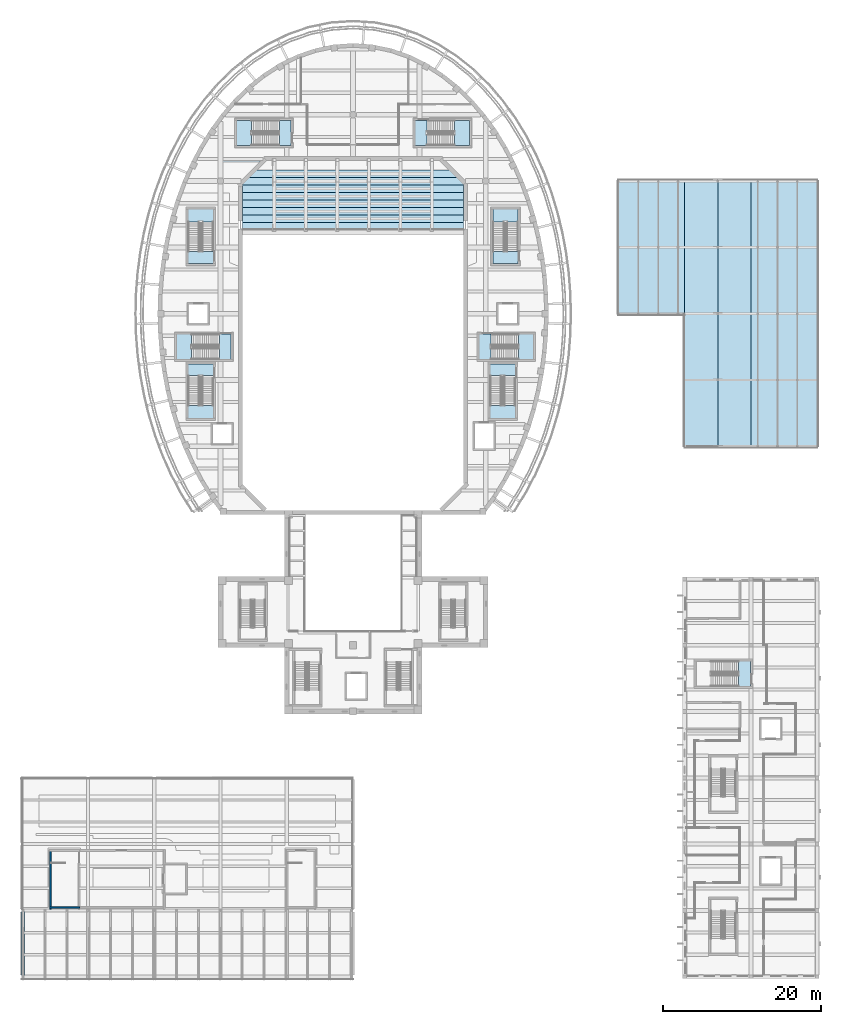
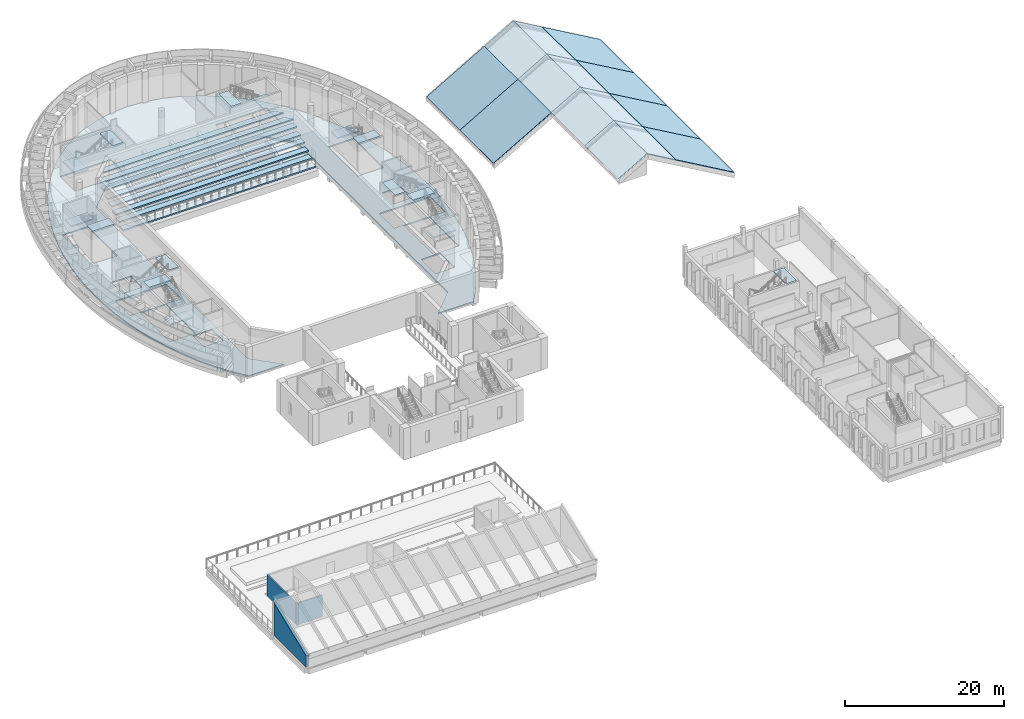
# One storey, part 5 of 37: 40 slabs, 3 walls, 9 elements without a shape of their own.
"""IFC4 building model written with IfcOpenShell, lengths in metres."""

from ifc_helpers import new_model, si_unit, direction, frame, frame_2d, origin, place, context, subcontext, project, spatial, polyline, rectangle, outline, extrude, material, layer, layer_set, type_object, element, aggregate, save


model = new_model("IFC4")

# Units and contexts
model_context = context("Model", 3, precision=1e-05, world=origin(), true_north=direction((0.0, 1.0)))
body_context = subcontext(model_context, "Body", "Model", "MODEL_VIEW")
ifc_project = project(units=[si_unit("LENGTHUNIT", "METRE"), si_unit("AREAUNIT", "SQUARE_METRE"), si_unit("VOLUMEUNIT", "CUBIC_METRE"), si_unit("PLANEANGLEUNIT", "RADIAN"), si_unit("MASSUNIT", "GRAM", prefix="KILO")], contexts=[model_context])

# Site, building, storey
site_placement = place(None, origin())
site = spatial("IfcSite", under=ifc_project, at=site_placement, CompositionType="ELEMENT")
building_placement = place(site_placement, origin())
building = spatial("IfcBuilding", under=site, at=building_placement, Name="Larchfold Concert Hall", CompositionType="ELEMENT")
storey_placement = place(building_placement, frame((0.0, 0.0, 19.199951171875)))
storey = spatial("IfcBuildingStorey", under=building, at=storey_placement, Name="L04", CompositionType="ELEMENT", Elevation=19.199951171875)

# Slabs
ifc_material_1 = material(Name="Steel S355", Category="steel")
ifc_layer_1 = layer(ifc_material_1, 0.10009765625)
ifc_layer_set_1 = layer_set([ifc_layer_1], Name="Steel S355")
slab_type_1 = type_object("IfcSlabType", Name="Roof plate 100 insulated", PredefinedType="ROOF", material=ifc_layer_set_1)
slab_1_placement = place(storey_placement, frame((76.199951171875, 84.60009765625, 0.0), z_axis=(-0.500002063083, 0.0, 0.86602421266), x_axis=(0.0, 1.0, 0.0)))
element("IfcSlab", 1, at=slab_1_placement, inside=storey, type_object=slab_type_1, Name="Roof plate FP026", PredefinedType="ROOF", context=body_context, shape_type="SweptSolid", body=[
    extrude(outline(polyline([(0.0, 0.0), (8.39990234375, 0.0), (8.39990234375, -9.699667008819315), (0.0, -9.699667008819315), (0.0, 0.0)])), origin(), (0.0, 0.0, -1.0), 0.10009765625),
])
slab_2_placement = place(storey_placement, frame((76.199951171875, 101.39990234375, 0.0), z_axis=(-0.500002063083, 0.0, 0.86602421266), x_axis=(0.86602421266, 0.0, 0.500002063083)))
element("IfcSlab", 2, at=slab_2_placement, inside=storey, type_object=slab_type_1, Name="Roof plate FP027", PredefinedType="ROOF", context=body_context, shape_type="SweptSolid", body=[
    extrude(outline(polyline([(0.0, 0.0), (9.699667008819315, 0.0), (9.699667008819315, -8.39990234375), (0.0, -8.39990234375), (0.0, 0.0)])), origin(), (0.0, 0.0, -1.0), 0.10009765625),
])
slab_3_placement = place(storey_placement, frame((84.60009765625, 67.800048828125, 4.849853515625), z_axis=(-0.499994084299, 0.0, 0.866028819189), x_axis=(0.0, 1.0, 0.0)))
element("IfcSlab", 3, at=slab_3_placement, inside=storey, type_object=slab_type_1, Name="Roof plate FP028", PredefinedType="ROOF", context=body_context, shape_type="SweptSolid", body=[
    extrude(outline(polyline([(0.0, 0.0), (8.39990234375, 0.0), (8.39990234375, -4.8496667533611175), (0.0, -4.8496667533611175), (0.0, 0.0)])), origin(), (0.0, 0.0, -1.0), 0.10009765625),
])
slab_4_placement = place(storey_placement, frame((84.60009765625, 84.60009765625, 4.849853515625), z_axis=(-0.499994084299, 0.0, 0.866028819189), x_axis=(0.866028819189, 0.0, 0.499994084299)))
element("IfcSlab", 4, at=slab_4_placement, inside=storey, type_object=slab_type_1, Name="Roof plate FP029", PredefinedType="ROOF", context=body_context, shape_type="SweptSolid", body=[
    extrude(outline(polyline([(0.0, 0.0), (4.8496667533611175, 0.0), (4.8496667533611175, -8.400146484375002), (0.0, -8.400146484375002), (0.0, 0.0)])), origin(), (0.0, 0.0, -1.0), 0.10009765625),
])
slab_5_placement = place(storey_placement, frame((84.60009765625, 93.0, 4.849853515625), z_axis=(-0.499994084299, 0.0, 0.866028819189), x_axis=(0.866028819189, 0.0, 0.499994084299)))
element("IfcSlab", 5, at=slab_5_placement, inside=storey, type_object=slab_type_1, Name="Roof plate FP030", PredefinedType="ROOF", context=body_context, shape_type="SweptSolid", body=[
    extrude(outline(polyline([(0.0, 0.0), (4.8496667533611175, 0.0), (4.8496667533611175, -8.39990234375), (0.0, -8.39990234375), (0.0, 0.0)])), origin(), (0.0, 0.0, -1.0), 0.10009765625),
])
for number, where, z_axis, x_axis, name in (
    (6, (88.800048828125, 101.39990234375, 7.274658203125), (-0.499994084299, 0.0, 0.866028819189), (0.0, -1.0, 0.0), "Roof plate FP031"),
    (7, (88.800048828125, 67.800048828125, 7.274658203125), (0.499994084299, 0.0, 0.866028819189), (0.0, 1.0, 0.0), "Roof plate FP032"),
):
    element("IfcSlab", number, at=place(storey_placement, frame(where, z_axis=z_axis, x_axis=x_axis)), inside=storey, type_object=slab_type_1, Name=name, PredefinedType="ROOF", context=body_context, shape_type="SweptSolid", body=[
        extrude(outline(polyline([(0.0, 0.0), (8.39990234375, 0.0), (8.39990234375, -4.8496667533611175), (0.0, -4.8496667533611175), (0.0, 0.0)])), origin(), (0.0, 0.0, -1.0), 0.10009765625),
    ])
slab_6_placement = place(storey_placement, frame((88.800048828125, 76.199951171875, 7.274658203125), z_axis=(0.499994084299, 0.0, 0.866028819189), x_axis=(0.0, 1.0, 0.0)))
element("IfcSlab", 8, at=slab_6_placement, inside=storey, type_object=slab_type_1, Name="Roof plate FP033", PredefinedType="ROOF", context=body_context, shape_type="SweptSolid", body=[
    extrude(outline(polyline([(0.0, 0.0), (8.400146484375, 0.0), (8.400146484375, -4.849666753361118), (0.0, -4.849666753361118), (0.0, 0.0)])), origin(), (0.0, 0.0, -1.0), 0.10009765625),
])
for number, where, z_axis, x_axis, name in (
    (9, (88.800048828125, 84.60009765625, 7.274658203125), (0.499994084299, 0.0, 0.866028819189), (0.0, 1.0, 0.0), "Roof plate FP034"),
    (10, (93.0, 101.39990234375, 4.849853515625), (0.499994084299, 0.0, 0.866028819189), (0.0, -1.0, 0.0), "Roof plate FP035"),
):
    element("IfcSlab", number, at=place(storey_placement, frame(where, z_axis=z_axis, x_axis=x_axis)), inside=storey, type_object=slab_type_1, Name=name, PredefinedType="ROOF", context=body_context, shape_type="SweptSolid", body=[
        extrude(outline(polyline([(0.0, 0.0), (8.39990234375, 0.0), (8.39990234375, -4.8496667533611175), (0.0, -4.8496667533611175), (0.0, 0.0)])), origin(), (0.0, 0.0, -1.0), 0.10009765625),
    ])
slab_7_placement = place(storey_placement, frame((101.39990234375, 67.800048828125, 0.0), z_axis=(0.500012962241, 0.0, 0.866017919902), x_axis=(-0.866017919902, 0.0, 0.500012962241)))
element("IfcSlab", 11, at=slab_7_placement, inside=storey, type_object=slab_type_1, Name="Roof plate FP036", PredefinedType="ROOF", context=body_context, shape_type="SweptSolid", body=[
    extrude(outline(polyline([(0.0, 0.0), (9.699455577894922, 0.0), (9.699455577894922, -8.39990234375), (0.0, -8.39990234375), (0.0, 0.0)])), origin(), (0.0, 0.0, -1.0), 0.10009765625),
])
slab_8_placement = place(storey_placement, frame((101.39990234375, 76.199951171875, 0.0), z_axis=(0.500012962241, 0.0, 0.866017919902), x_axis=(-0.866017919902, 0.0, 0.500012962241)))
element("IfcSlab", 12, at=slab_8_placement, inside=storey, type_object=slab_type_1, Name="Roof plate FP037", PredefinedType="ROOF", context=body_context, shape_type="SweptSolid", body=[
    extrude(outline(polyline([(0.0, 0.0), (9.699455577894922, 0.0), (9.699455577894922, -8.400146484375), (0.0, -8.400146484375), (0.0, 0.0)])), origin(), (0.0, 0.0, -1.0), 0.10009765625),
])
for number, where, z_axis, x_axis, name in (
    (13, (101.39990234375, 84.60009765625, 0.0), (0.500012962241, 0.0, 0.866017919902), (-0.866017919902, 0.0, 0.500012962241), "Roof plate FP038"),
    (14, (101.39990234375, 93.0, 0.0), (0.500012962241, 0.0, 0.866017919902), (-0.866017919902, 0.0, 0.500012962241), "Roof plate FP039"),
):
    element("IfcSlab", number, at=place(storey_placement, frame(where, z_axis=z_axis, x_axis=x_axis)), inside=storey, type_object=slab_type_1, Name=name, PredefinedType="ROOF", context=body_context, shape_type="SweptSolid", body=[
        extrude(outline(polyline([(0.0, 0.0), (9.699455577894922, 0.0), (9.699455577894922, -8.39990234375), (0.0, -8.39990234375), (0.0, 0.0)])), origin(), (0.0, 0.0, -1.0), 0.10009765625),
    ])
ifc_material_2 = material(Name="Concrete C35/45", Category="concrete")
ifc_layer_2 = layer(ifc_material_2, 0.199951171875)
ifc_layer_set_2 = layer_set([ifc_layer_2], Name="Concrete C35/45")
slab_type_2 = type_object("IfcSlabType", Name="Slab 200", PredefinedType="FLOOR", material=ifc_layer_set_2)
slab_9_placement = place(storey_placement, frame((0.0, 0.0, -0.199951171875)))
element("IfcSlab", 15, at=slab_9_placement, inside=storey, type_object=slab_type_2, Name="Slab S0004", PredefinedType="FLOOR", context=body_context, shape_type="SweptSolid", body=[
    extrude(outline(polyline([(24.913818359375, 61.515380859375), (26.27978515625, 59.64990234375), (31.45751953125, 59.64990234375), (28.078857421875, 63.02880859375), (28.070068359375, 101.10009765625), (31.478759765625, 104.521240234375), (53.699951171875, 104.530029296875), (57.121337890625, 101.121337890625), (57.130126953125, 63.050048828125), (53.742431640625, 59.64990234375), (58.92041015625, 59.64990234375), (60.286376953125, 61.515380859375), (61.56884765625, 63.580078125), (62.703125, 65.731201171875), (63.69287109375, 67.953369140625), (64.541748046875, 70.234375), (65.253662109375, 72.562255859375), (65.83203125, 74.927490234375), (66.27880859375, 77.321533203125), (66.5966796875, 79.736328125), (66.786865234375, 82.164794921875), (66.85009765625, 84.60009765625), (66.78759765625, 87.020263671875), (66.599853515625, 89.433837890625), (66.285888671875, 91.833984375), (65.844482421875, 94.2138671875), (65.273681640625, 96.5654296875), (64.570556640625, 98.88037109375), (63.732177734375, 101.149169921875), (62.75537109375, 103.360595703125), (61.635986328125, 105.502685546875), (60.3701171875, 107.5595703125), (58.953857421875, 109.514892578125), (57.384765625, 111.3466796875), (55.661376953125, 113.03173828125), (53.78564453125, 114.541748046875), (51.763671875, 115.844970703125), (49.60888671875, 116.907958984375), (47.34130859375, 117.697509765625), (44.992431640625, 118.1845703125), (42.60009765625, 118.349609375), (40.207763671875, 118.1845703125), (37.85888671875, 117.697509765625), (35.59130859375, 116.907958984375), (33.4365234375, 115.844970703125), (31.41455078125, 114.541748046875), (29.538818359375, 113.03173828125), (27.8154296875, 111.3466796875), (26.246337890625, 109.514892578125), (24.830078125, 107.5595703125), (23.564208984375, 105.502685546875), (22.44482421875, 103.360595703125), (21.468017578125, 101.149169921875), (20.629638671875, 98.88037109375), (19.926513671875, 96.5654296875), (19.355712890625, 94.2138671875), (18.914306640625, 91.833984375), (18.600341796875, 89.433837890625), (18.41259765625, 87.020263671875), (18.35009765625, 84.60009765625), (18.413330078125, 82.164794921875), (18.603515625, 79.736328125), (18.92138671875, 77.321533203125), (19.3681640625, 74.927490234375), (19.946533203125, 72.562255859375), (20.658447265625, 70.234375), (21.50732421875, 67.953369140625), (22.4970703125, 65.731201171875), (23.63134765625, 63.580078125), (24.913818359375, 61.515380859375)]), holes=[polyline([(24.60009765625, 70.800048828125), (27.39990234375, 70.800048828125), (27.39990234375, 68.0), (24.60009765625, 68.0), (24.60009765625, 70.800048828125)]), polyline([(25.14990234375, 78.5), (25.14990234375, 71.10009765625), (21.449951171875, 71.10009765625), (21.449951171875, 78.5), (25.14990234375, 78.5)]), polyline([(27.39990234375, 82.25), (27.39990234375, 78.550048828125), (20.0, 78.550048828125), (20.0, 82.25), (27.39990234375, 82.25)]), polyline([(21.60009765625, 86.0), (24.39990234375, 86.0), (24.39990234375, 83.199951171875), (21.60009765625, 83.199951171875), (21.60009765625, 86.0)]), polyline([(25.14990234375, 98.10009765625), (25.14990234375, 90.699951171875), (21.449951171875, 90.699951171875), (21.449951171875, 98.10009765625), (25.14990234375, 98.10009765625)]), polyline([(35.0, 109.35009765625), (35.0, 105.64990234375), (27.60009765625, 105.64990234375), (27.60009765625, 109.35009765625), (35.0, 109.35009765625)]), polyline([(57.800048828125, 70.89990234375), (60.60009765625, 70.89990234375), (60.60009765625, 67.300048828125), (57.800048828125, 67.300048828125), (57.800048828125, 70.89990234375)]), polyline([(63.39990234375, 78.5), (63.39990234375, 71.10009765625), (59.699951171875, 71.10009765625), (59.699951171875, 78.5), (63.39990234375, 78.5)]), polyline([(65.699951171875, 82.25), (65.699951171875, 78.550048828125), (58.300048828125, 78.550048828125), (58.300048828125, 82.25), (65.699951171875, 82.25)]), polyline([(60.800048828125, 86.0), (63.60009765625, 86.0), (63.60009765625, 83.199951171875), (60.800048828125, 83.199951171875), (60.800048828125, 86.0)]), polyline([(63.75, 98.10009765625), (63.75, 90.699951171875), (60.050048828125, 90.699951171875), (60.050048828125, 98.10009765625), (63.75, 98.10009765625)]), polyline([(57.60009765625, 109.35009765625), (57.60009765625, 105.64990234375), (50.199951171875, 105.64990234375), (50.199951171875, 109.35009765625), (57.60009765625, 109.35009765625)])]), origin(), (0.0, 0.0, 1.0), 0.199951171875),
])
ifc_material_3 = material(Name="Precast concrete C40/50", Category="concrete")
ifc_layer_3 = layer(ifc_material_3, 0.219970703125)
ifc_layer_set_3 = layer_set([ifc_layer_3], Name="Precast concrete C40/50")
slab_type_3 = type_object("IfcSlabType", Name="Slab 220 hall tier tread", PredefinedType="FLOOR", material=ifc_layer_set_3)
slab_10_placement = place(storey_placement, frame((0.0, 0.0, -0.219970703125)))
element("IfcSlab", 16, at=slab_10_placement, inside=storey, type_object=slab_type_3, Name="Tread T3-01", PredefinedType="FLOOR", context=body_context, shape_type="SweptSolid", body=[
    extrude(outline(polyline([(56.60009765625, 96.14990234375), (28.60009765625, 96.14990234375), (28.60009765625, 95.199951171875), (56.60009765625, 95.199951171875), (56.60009765625, 96.14990234375)])), origin(), (0.0, 0.0, 1.0), 0.219970703125),
])
slab_11_placement = place(storey_placement, frame((0.0, 0.0, 0.467041015625)))
element("IfcSlab", 17, at=slab_11_placement, inside=storey, type_object=slab_type_3, Name="Tread T3-02", PredefinedType="FLOOR", context=body_context, shape_type="SweptSolid", body=[
    extrude(outline(polyline([(56.60009765625, 97.10009765625), (28.60009765625, 97.10009765625), (28.60009765625, 96.14990234375), (56.60009765625, 96.14990234375), (56.60009765625, 97.10009765625)])), origin(), (0.0, 0.0, 1.0), 0.219970703125),
])
slab_12_placement = place(storey_placement, frame((0.0, 0.0, 1.032958984375)))
element("IfcSlab", 18, at=slab_12_placement, inside=storey, type_object=slab_type_3, Name="Tread T3-03", PredefinedType="FLOOR", context=body_context, shape_type="SweptSolid", body=[
    extrude(outline(polyline([(56.60009765625, 98.050048828125), (28.60009765625, 98.050048828125), (28.60009765625, 97.10009765625), (56.60009765625, 97.10009765625), (56.60009765625, 98.050048828125)])), origin(), (0.0, 0.0, 1.0), 0.219970703125),
])
slab_13_placement = place(storey_placement, frame((0.0, 0.0, 1.72900390625)))
element("IfcSlab", 19, at=slab_13_placement, inside=storey, type_object=slab_type_3, Name="Tread T3-04", PredefinedType="FLOOR", context=body_context, shape_type="SweptSolid", body=[
    extrude(outline(polyline([(56.60009765625, 99.0), (28.60009765625, 99.0), (28.60009765625, 98.050048828125), (56.60009765625, 98.050048828125), (56.60009765625, 99.0)])), origin(), (0.0, 0.0, 1.0), 0.219970703125),
])
slab_14_placement = place(storey_placement, frame((0.0, 0.0, 2.295166015625)))
element("IfcSlab", 20, at=slab_14_placement, inside=storey, type_object=slab_type_3, Name="Tread T3-05", PredefinedType="FLOOR", context=body_context, shape_type="SweptSolid", body=[
    extrude(outline(polyline([(56.60009765625, 99.949951171875), (28.60009765625, 99.949951171875), (28.60009765625, 99.0), (56.60009765625, 99.0), (56.60009765625, 99.949951171875)])), origin(), (0.0, 0.0, 1.0), 0.219970703125),
])
slab_15_placement = place(storey_placement, frame((0.0, 0.0, 3.0)))
element("IfcSlab", 21, at=slab_15_placement, inside=storey, type_object=slab_type_3, Name="Tread T3-06", PredefinedType="FLOOR", context=body_context, shape_type="SweptSolid", body=[
    extrude(outline(polyline([(56.60009765625, 100.89990234375), (28.60009765625, 100.89990234375), (28.60009765625, 99.949951171875), (56.60009765625, 99.949951171875), (56.60009765625, 100.89990234375)])), origin(), (0.0, 0.0, 1.0), 0.219970703125),
])
slab_16_placement = place(storey_placement, frame((0.0, 0.0, 3.56494140625)))
element("IfcSlab", 22, at=slab_16_placement, inside=storey, type_object=slab_type_3, Name="Tread T3-07", PredefinedType="FLOOR", context=body_context, shape_type="SweptSolid", body=[
    extrude(outline(polyline([(55.75, 101.85009765625), (29.4501953125, 101.85009765625), (28.60009765625, 101.0), (28.60009765625, 100.89990234375), (56.60009765625, 100.89990234375), (56.60009765625, 101.0), (55.75, 101.85009765625)])), origin(), (0.0, 0.0, 1.0), 0.22021484375),
])
slab_17_placement = place(storey_placement, frame((0.0, 0.0, 4.279052734375)))
element("IfcSlab", 23, at=slab_17_placement, inside=storey, type_object=slab_type_3, Name="Tread T3-08", PredefinedType="FLOOR", context=body_context, shape_type="SweptSolid", body=[
    extrude(outline(polyline([(54.800048828125, 102.800048828125), (30.400146484375, 102.800048828125), (29.4501953125, 101.85009765625), (55.75, 101.85009765625), (54.800048828125, 102.800048828125)])), origin(), (0.0, 0.0, 1.0), 0.219970703125),
])

# Stair, slabs
ifc_material_4 = material(Name="Concrete C35/45", Category="concrete")
stair_type = type_object("IfcStairType", Name="Stair RC half-turn enclosed", PredefinedType="HALF_TURN_STAIR", material=ifc_material_4)
stair_1_placement = place(storey_placement, origin())
stair_1 = element("IfcStair", 24, at=stair_1_placement, inside=storey, type_object=stair_type, Name="Stair DS1", PredefinedType="HALF_TURN_STAIR")
ifc_material_5 = material(Name="Concrete C35/45", Category="concrete")
ifc_layer_4 = layer(ifc_material_5, 0.199951171875)
ifc_layer_set_4 = layer_set([ifc_layer_4], Name="Concrete C35/45")
slab_type_4 = type_object("IfcSlabType", Name="Stair landing RC 200", PredefinedType="LANDING", material=ifc_layer_set_4)
slab_18_placement = place(storey_placement, frame((0.0, 0.0, 2.199951171875)))
slab_18 = element("IfcSlab", 25, at=slab_18_placement, type_object=slab_type_4, Name="ST01 landing 1", PredefinedType="LANDING", context=body_context, shape_type="SweptSolid", body=[
    extrude(outline(polyline([(63.5, 96.22998046875), (63.5, 97.85009765625), (60.300048828125, 97.85009765625), (60.300048828125, 96.22998046875), (63.5, 96.22998046875)])), origin(), (0.0, 0.0, 1.0), 0.2001953125),
])
slab_19_placement = place(storey_placement, frame((0.0, 0.0, 4.60009765625)))
slab_19 = element("IfcSlab", 26, at=slab_19_placement, type_object=slab_type_4, Name="ST01 landing 2", PredefinedType="LANDING", context=body_context, shape_type="SweptSolid", body=[
    extrude(outline(polyline([(63.5, 90.949951171875), (63.5, 92.449951171875), (60.300048828125, 92.449951171875), (60.300048828125, 90.949951171875), (63.5, 90.949951171875)])), origin(), (0.0, 0.0, 1.0), 0.199951171875),
])
aggregate(stair_1, [slab_18, slab_19])

stair_2_placement = place(storey_placement, origin())
stair_2 = element("IfcStair", 27, at=stair_2_placement, inside=storey, type_object=stair_type, Name="Stair DS2", PredefinedType="HALF_TURN_STAIR")
slab_20_placement = place(storey_placement, frame((0.0, 0.0, 2.199951171875)))
slab_20 = element("IfcSlab", 28, at=slab_20_placement, type_object=slab_type_4, Name="ST02 landing 1", PredefinedType="LANDING", context=body_context, shape_type="SweptSolid", body=[
    extrude(outline(polyline([(55.4599609375, 105.89990234375), (57.35009765625, 105.89990234375), (57.35009765625, 109.099853515625), (55.4599609375, 109.099853515625), (55.4599609375, 105.89990234375)])), origin(), (0.0, 0.0, 1.0), 0.2001953125),
])
slab_21_placement = place(storey_placement, frame((0.0, 0.0, 4.60009765625)))
slab_21 = element("IfcSlab", 29, at=slab_21_placement, type_object=slab_type_4, Name="ST02 landing 2", PredefinedType="LANDING", context=body_context, shape_type="SweptSolid", body=[
    extrude(outline(polyline([(50.449951171875, 105.89990234375), (51.949951171875, 105.89990234375), (51.949951171875, 109.10009765625), (50.449951171875, 109.10009765625), (50.449951171875, 105.89990234375)])), origin(), (0.0, 0.0, 1.0), 0.199951171875),
])
aggregate(stair_2, [slab_20, slab_21])

stair_3_placement = place(storey_placement, origin())
stair_3 = element("IfcStair", 30, at=stair_3_placement, inside=storey, type_object=stair_type, Name="Stair DS3", PredefinedType="HALF_TURN_STAIR")
slab_22_placement = place(storey_placement, frame((0.0, 0.0, 2.199951171875)))
slab_22 = element("IfcSlab", 31, at=slab_22_placement, type_object=slab_type_4, Name="ST03 landing 1", PredefinedType="LANDING", context=body_context, shape_type="SweptSolid", body=[
    extrude(outline(polyline([(29.739990234375, 109.10009765625), (27.85009765625, 109.10009765625), (27.85009765625, 105.900146484375), (29.739990234375, 105.900146484375), (29.739990234375, 109.10009765625)])), origin(), (0.0, 0.0, 1.0), 0.2001953125),
])
slab_23_placement = place(storey_placement, frame((0.0, 0.0, 4.60009765625)))
slab_23 = element("IfcSlab", 32, at=slab_23_placement, type_object=slab_type_4, Name="ST03 landing 2", PredefinedType="LANDING", context=body_context, shape_type="SweptSolid", body=[
    extrude(outline(polyline([(34.75, 109.10009765625), (33.25, 109.10009765625), (33.25, 105.89990234375), (34.75, 105.89990234375), (34.75, 109.10009765625)])), origin(), (0.0, 0.0, 1.0), 0.199951171875),
])
aggregate(stair_3, [slab_22, slab_23])

stair_4_placement = place(storey_placement, origin())
stair_4 = element("IfcStair", 33, at=stair_4_placement, inside=storey, type_object=stair_type, Name="Stair DS4", PredefinedType="HALF_TURN_STAIR")
slab_24_placement = place(storey_placement, frame((0.0, 0.0, 2.199951171875)))
slab_24 = element("IfcSlab", 34, at=slab_24_placement, type_object=slab_type_4, Name="ST04 landing 1", PredefinedType="LANDING", context=body_context, shape_type="SweptSolid", body=[
    extrude(outline(polyline([(24.89990234375, 96.22998046875), (24.89990234375, 97.85009765625), (21.699951171875, 97.85009765625), (21.699951171875, 96.22998046875), (24.89990234375, 96.22998046875)])), origin(), (0.0, 0.0, 1.0), 0.2001953125),
])
slab_25_placement = place(storey_placement, frame((0.0, 0.0, 4.60009765625)))
slab_25 = element("IfcSlab", 35, at=slab_25_placement, type_object=slab_type_4, Name="ST04 landing 2", PredefinedType="LANDING", context=body_context, shape_type="SweptSolid", body=[
    extrude(outline(polyline([(24.89990234375, 90.949951171875), (24.89990234375, 92.449951171875), (21.699951171875, 92.449951171875), (21.699951171875, 90.949951171875), (24.89990234375, 90.949951171875)])), origin(), (0.0, 0.0, 1.0), 0.199951171875),
])
aggregate(stair_4, [slab_24, slab_25])

stair_5_placement = place(storey_placement, origin())
stair_5 = element("IfcStair", 36, at=stair_5_placement, inside=storey, type_object=stair_type, Name="Stair DS5", PredefinedType="HALF_TURN_STAIR")
slab_26_placement = place(storey_placement, frame((0.0, 0.0, 2.199951171875)))
slab_26 = element("IfcSlab", 37, at=slab_26_placement, type_object=slab_type_4, Name="ST05 landing 1", PredefinedType="LANDING", context=body_context, shape_type="SweptSolid", body=[
    extrude(outline(polyline([(21.699951171875, 72.969970703125), (21.699951171875, 71.35009765625), (24.89990234375, 71.35009765625), (24.89990234375, 72.969970703125), (21.699951171875, 72.969970703125)])), origin(), (0.0, 0.0, 1.0), 0.2001953125),
])
slab_27_placement = place(storey_placement, frame((0.0, 0.0, 4.60009765625)))
slab_27 = element("IfcSlab", 38, at=slab_27_placement, type_object=slab_type_4, Name="ST05 landing 2", PredefinedType="LANDING", context=body_context, shape_type="SweptSolid", body=[
    extrude(outline(polyline([(21.699951171875, 78.25), (21.699951171875, 76.75), (24.89990234375, 76.75), (24.89990234375, 78.25), (21.699951171875, 78.25)])), origin(), (0.0, 0.0, 1.0), 0.199951171875),
])
aggregate(stair_5, [slab_26, slab_27])

stair_6_placement = place(storey_placement, origin())
stair_6 = element("IfcStair", 39, at=stair_6_placement, inside=storey, type_object=stair_type, Name="Stair DS6", PredefinedType="HALF_TURN_STAIR")
slab_28_placement = place(storey_placement, frame((0.0, 0.0, 2.199951171875)))
slab_28 = element("IfcSlab", 40, at=slab_28_placement, type_object=slab_type_4, Name="ST06 landing 1", PredefinedType="LANDING", context=body_context, shape_type="SweptSolid", body=[
    extrude(outline(polyline([(59.949951171875, 72.969970703125), (59.949951171875, 71.35009765625), (63.14990234375, 71.35009765625), (63.14990234375, 72.969970703125), (59.949951171875, 72.969970703125)])), origin(), (0.0, 0.0, 1.0), 0.2001953125),
])
slab_29_placement = place(storey_placement, frame((0.0, 0.0, 4.60009765625)))
slab_29 = element("IfcSlab", 41, at=slab_29_placement, type_object=slab_type_4, Name="ST06 landing 2", PredefinedType="LANDING", context=body_context, shape_type="SweptSolid", body=[
    extrude(outline(polyline([(59.949951171875, 78.25), (59.949951171875, 76.75), (63.14990234375, 76.75), (63.14990234375, 78.25), (59.949951171875, 78.25)])), origin(), (0.0, 0.0, 1.0), 0.199951171875),
])
aggregate(stair_6, [slab_28, slab_29])

stair_7_placement = place(storey_placement, origin())
stair_7 = element("IfcStair", 42, at=stair_7_placement, inside=storey, type_object=stair_type, Name="Stair DS7", PredefinedType="HALF_TURN_STAIR")
slab_30_placement = place(storey_placement, frame((0.0, 0.0, 2.199951171875)))
slab_30 = element("IfcSlab", 43, at=slab_30_placement, type_object=slab_type_4, Name="ST07 landing 1", PredefinedType="LANDING", context=body_context, shape_type="SweptSolid", body=[
    extrude(outline(polyline([(22.139892578125, 82.0), (20.25, 82.0), (20.25, 78.800048828125), (22.139892578125, 78.800048828125), (22.139892578125, 82.0)])), origin(), (0.0, 0.0, 1.0), 0.2001953125),
])
slab_31_placement = place(storey_placement, frame((0.0, 0.0, 4.60009765625)))
slab_31 = element("IfcSlab", 44, at=slab_31_placement, type_object=slab_type_4, Name="ST07 landing 2", PredefinedType="LANDING", context=body_context, shape_type="SweptSolid", body=[
    extrude(outline(polyline([(27.14990234375, 82.0), (25.64990234375, 82.0), (25.64990234375, 78.800048828125), (27.14990234375, 78.800048828125), (27.14990234375, 82.0)])), origin(), (0.0, 0.0, 1.0), 0.199951171875),
])
aggregate(stair_7, [slab_30, slab_31])

stair_8_placement = place(storey_placement, origin())
stair_8 = element("IfcStair", 45, at=stair_8_placement, inside=storey, type_object=stair_type, Name="Stair DS8", PredefinedType="HALF_TURN_STAIR")
slab_32_placement = place(storey_placement, frame((0.0, 0.0, 2.199951171875)))
slab_32 = element("IfcSlab", 46, at=slab_32_placement, type_object=slab_type_4, Name="ST08 landing 1", PredefinedType="LANDING", context=body_context, shape_type="SweptSolid", body=[
    extrude(outline(polyline([(63.56005859375, 78.800048828125), (65.449951171875, 78.800048828125), (65.449951171875, 82.0), (63.56005859375, 82.0), (63.56005859375, 78.800048828125)])), origin(), (0.0, 0.0, 1.0), 0.2001953125),
])
slab_33_placement = place(storey_placement, frame((0.0, 0.0, 4.60009765625)))
slab_33 = element("IfcSlab", 47, at=slab_33_placement, type_object=slab_type_4, Name="ST08 landing 2", PredefinedType="LANDING", context=body_context, shape_type="SweptSolid", body=[
    extrude(outline(polyline([(58.550048828125, 78.800048828125), (60.050048828125, 78.800048828125), (60.050048828125, 82.0), (58.550048828125, 82.0), (58.550048828125, 78.800048828125)])), origin(), (0.0, 0.0, 1.0), 0.199951171875),
])
aggregate(stair_8, [slab_32, slab_33])

# Stair, slab
stair_9_placement = place(storey_placement, origin())
stair_9 = element("IfcStair", 48, at=stair_9_placement, inside=storey, type_object=stair_type, Name="Stair AW3", PredefinedType="HALF_TURN_STAIR")
slab_34_placement = place(storey_placement, frame((0.0, 0.0, 4.60009765625)))
slab_34 = element("IfcSlab", 49, at=slab_34_placement, type_object=slab_type_4, Name="ST15 landing 2", PredefinedType="LANDING", context=body_context, shape_type="SweptSolid", body=[
    extrude(outline(polyline([(92.949951171875, 40.60009765625), (91.449951171875, 40.60009765625), (91.449951171875, 37.39990234375), (92.949951171875, 37.39990234375), (92.949951171875, 40.60009765625)])), origin(), (0.0, 0.0, 1.0), 0.199951171875),
])
aggregate(stair_9, [slab_34])

# Walls
ifc_material_6 = material(Name="Larch cladding on mineral wool and CLT", Category="wood")
ifc_layer_5 = layer(ifc_material_6, 0.39990234375)
ifc_layer_set_5 = layer_set([ifc_layer_5], Name="Larch cladding on mineral wool and CLT")
wall_type_1 = type_object("IfcWallType", Name="Larch clad infill wall 400", PredefinedType="SOLIDWALL", material=ifc_layer_set_5)
wall_1_placement = place(storey_placement, frame((0.800048828125, 0.75, 0.0), z_axis=(0.0, 0.0, 1.0), x_axis=(0.0, 1.0, 0.0)))
element("IfcWall", 50, at=wall_1_placement, inside=storey, type_object=wall_type_1, Name="Infill wall W5196", PredefinedType="SOLIDWALL", context=body_context, shape_type="SweptSolid", body=[
    extrude(outline(polyline([(0.0, 0.0), (8.10009765625, 0.0), (8.10009765625, 4.99609375), (0.0, 1.756103515625), (0.0, 0.0)])), frame((0.0, 0.199951171875, 0.0), z_axis=(0.0, -1.0, 0.0), x_axis=(1.0, 0.0, 0.0)), (0.0, 0.0, 1.0), 0.39990234375),
])
ifc_material_7 = material(Name="Concrete C40/50", Category="concrete")
ifc_layer_6 = layer(ifc_material_7, 0.199951171875)
ifc_layer_set_6 = layer_set([ifc_layer_6], Name="Concrete C40/50")
wall_type_2 = type_object("IfcWallType", Name="Wall RC 200 head house", PredefinedType="SOLIDWALL", material=ifc_layer_set_6)
wall_2_placement = place(storey_placement, frame((4.14990234375, 9.39990234375, 0.0), z_axis=(0.0, 0.0, 1.0), x_axis=(1.0, 0.0, 0.0)))
element("IfcWall", 51, at=wall_2_placement, inside=storey, type_object=wall_type_2, Name="Wall HW0006", PredefinedType="SOLIDWALL", context=body_context, shape_type="SweptSolid", body=[
    extrude(rectangle(XDim=3.800048828125, YDim=0.199951171875, at=frame_2d((1.89990234375, 0.0))), origin(), (0.0, 0.0, 1.0), 3.300048828125),
])
wall_3_placement = place(storey_placement, frame((4.25, 9.14990234375, 0.0), z_axis=(0.0, 0.0, 1.0), x_axis=(0.0, 1.0, 0.0)))
element("IfcWall", 52, at=wall_3_placement, inside=storey, type_object=wall_type_2, Name="Wall HW0008", PredefinedType="SOLIDWALL", context=body_context, shape_type="SweptSolid", body=[
    extrude(rectangle(XDim=7.550048828125, YDim=0.199951171875, at=frame_2d((3.77490234375, 0.0))), origin(), (0.0, 0.0, 1.0), 3.300048828125),
])

save(model, "model.ifc")
